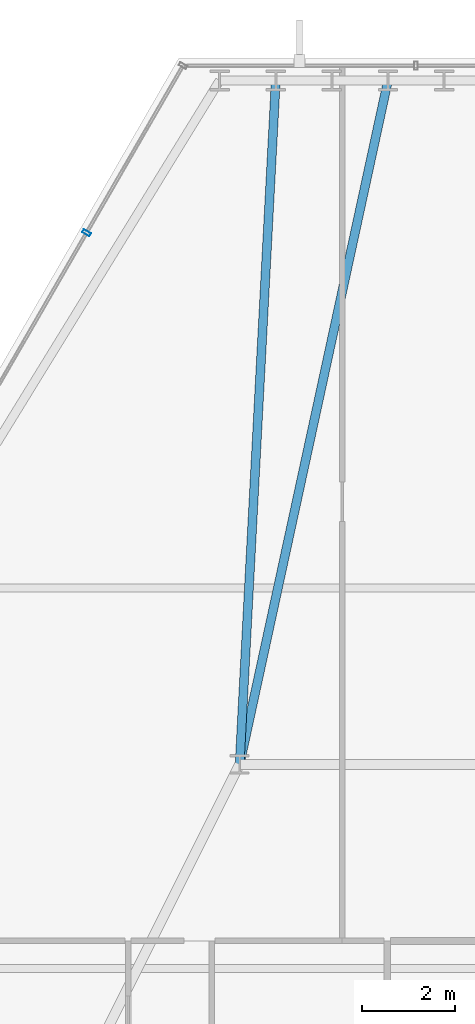
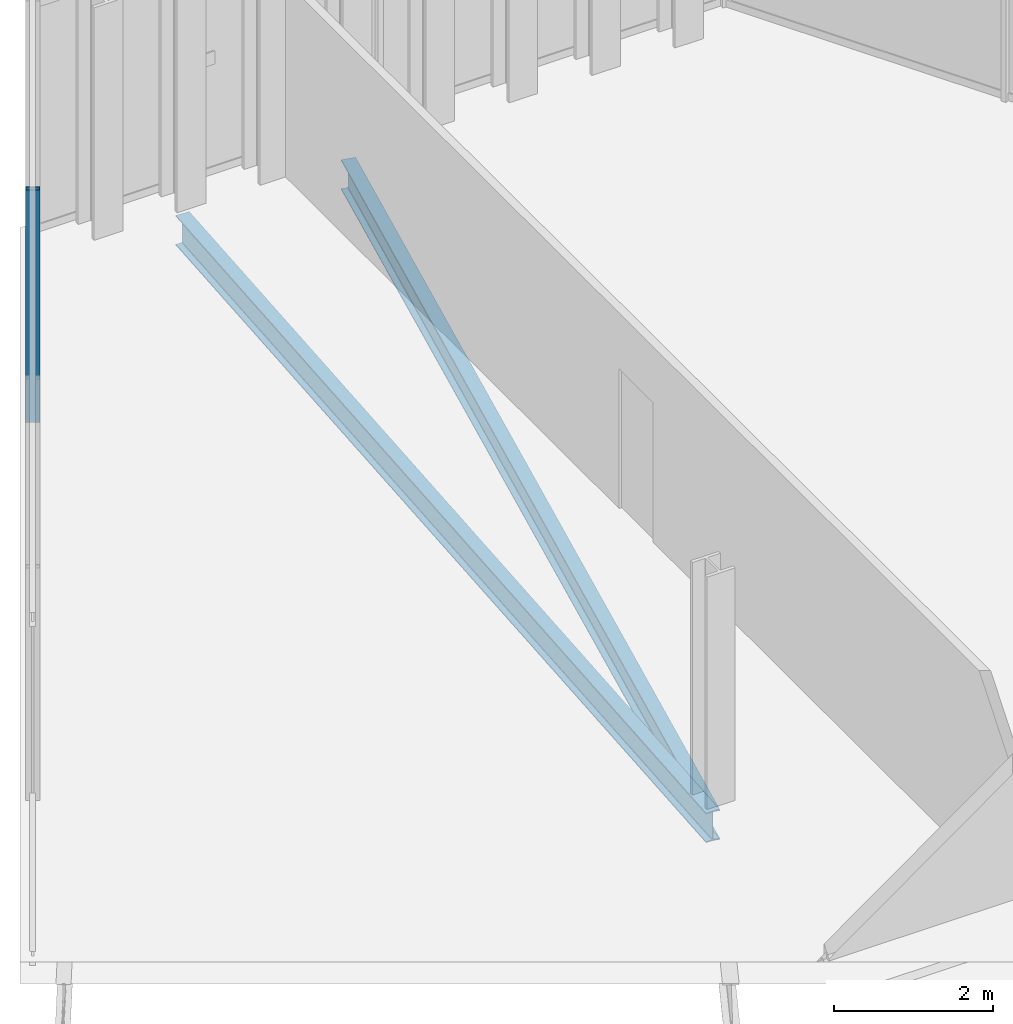
# One storey, part 23 of 35: 2 beams, 1 member, 1 element without a shape of its own.
"""IFC4 building model written with IfcOpenShell, lengths in metres."""

from ifc_helpers import new_model, si_unit, direction, frame, origin, origin_2d, place, context, subcontext, project, spatial, hollow_rectangle, i_section, extrude, material, layer, layer_set, material_profile, profile_set, type_object, element, aggregate, save


model = new_model("IFC4")

# Units and contexts
model_context = context("Model", 3, precision=1e-05, world=origin(), true_north=direction((0.0, 1.0)))
body_context = subcontext(model_context, "Body", "Model", "MODEL_VIEW")
ifc_project = project(units=[si_unit("LENGTHUNIT", "METRE"), si_unit("AREAUNIT", "SQUARE_METRE"), si_unit("VOLUMEUNIT", "CUBIC_METRE"), si_unit("PLANEANGLEUNIT", "RADIAN"), si_unit("MASSUNIT", "GRAM", prefix="KILO")], contexts=[model_context])

# Site, building, storey
site_placement = place(None, origin())
site = spatial("IfcSite", under=ifc_project, at=site_placement, CompositionType="ELEMENT")
building_placement = place(site_placement, origin())
building = spatial("IfcBuilding", under=site, at=building_placement, Name="Ndaravel Arena Tower", CompositionType="ELEMENT")
storey_placement = place(building_placement, frame((0.0, 0.0, 176.39990234375)))
storey = spatial("IfcBuildingStorey", under=building, at=storey_placement, Name="L42", CompositionType="ELEMENT", Elevation=176.39990234375)

# Beams
ifc_material_1 = material(Name="Steel S355", Category="steel")
ifc_material_profile_1 = material_profile(ifc_material_1, i_section(OverallWidth=0.19140625, OverallDepth=0.4599609375, WebThickness=0.010009765625, FlangeThickness=0.01611328125, FilletRadius=0.01025390625, at=origin_2d()), Name="UB 457x191x82")
ifc_profile_set_1 = profile_set([ifc_material_profile_1], Name="Steel S355")
beam_type = type_object("IfcBeamType", Name="BM-GIRD-UB457", PredefinedType="BEAM", material=ifc_profile_set_1)
beam_1_placement = place(storey_placement, frame((41.395751953125, 45.92822265625, -0.449951171875), z_axis=(-0.212049645047, -0.977258895092, 0.0), x_axis=(0.977258895092, -0.212049645047, 0.0)))
element("IfcBeam", 1, at=beam_1_placement, inside=storey, type_object=beam_type, Name="L42 Radial Floor Girder FG-15", PredefinedType="BEAM", context=body_context, shape_type="SweptSolid", body=[
    extrude(i_section(OverallWidth=0.19140625, OverallDepth=0.4599609375, WebThickness=0.010009765625, FlangeThickness=0.01611328125, FilletRadius=0.01025390625, at=origin_2d()), origin(), (0.0, 0.0, 1.0), 15.071044921875),
])
beam_2_placement = place(storey_placement, frame((38.978759765625, 45.92822265625, -0.449951171875), z_axis=(-0.052804705985, -0.998604858303, 0.0), x_axis=(0.998604858303, -0.052804705985, 0.0)))
element("IfcBeam", 2, at=beam_2_placement, inside=storey, type_object=beam_type, Name="L42 Radial Floor Girder FG-17", PredefinedType="BEAM", context=body_context, shape_type="SweptSolid", body=[
    extrude(i_section(OverallWidth=0.19140625, OverallDepth=0.4599609375, WebThickness=0.010009765625, FlangeThickness=0.01611328125, FilletRadius=0.01025390625, at=origin_2d()), origin(), (0.0, 0.0, 1.0), 14.748779296875),
])

# Curtain wall, member
ifc_material_2 = material(Name="Aluminium", Category="aluminium")
ifc_layer = layer(ifc_material_2, 0.179931640625)
ifc_layer_set = layer_set([ifc_layer], Name="Aluminium")
curtain_wall_type = type_object("IfcCurtainWallType", Name="CW-SYS-03", PredefinedType="NOTDEFINED", material=ifc_layer_set)
curtain_wall_placement = place(storey_placement, origin())
curtain_wall = element("IfcCurtainWall", 3, at=curtain_wall_placement, inside=storey, type_object=curtain_wall_type, Name="L42 Faceted Crystal Curtain Wall CW-L42-E05", PredefinedType="NOTDEFINED")
ifc_material_3 = material(Name="Aluminium", Category="aluminium")
ifc_material_profile_2 = material_profile(ifc_material_3, hollow_rectangle(XDim=0.074951171875, YDim=0.179931640625, WallThickness=0.00390625, at=origin_2d()), Name="CW MULLION 75x180x4")
ifc_profile_set_2 = profile_set([ifc_material_profile_2], Name="Aluminium")
member_type = type_object("IfcMemberType", Name="MEM-CW-MUL180", PredefinedType="MULLION", material=ifc_profile_set_2)
member_placement = place(storey_placement, frame((34.903076171875, 42.648681640625, 0.0), z_axis=(0.0, 0.0, 1.0), x_axis=(-0.5, -0.866025403784, 0.0)))
member = element("IfcMember", 4, at=member_placement, type_object=member_type, Name="CW-L42-E05 Mullion 01", PredefinedType="MULLION", context=body_context, shape_type="SweptSolid", body=[
    extrude(hollow_rectangle(XDim=0.074951171875, YDim=0.179931640625, WallThickness=0.00390625, at=origin_2d()), origin(), (0.0, 0.0, 1.0), 3.580078125),
])
aggregate(curtain_wall, [member])

save(model, "model.ifc")
